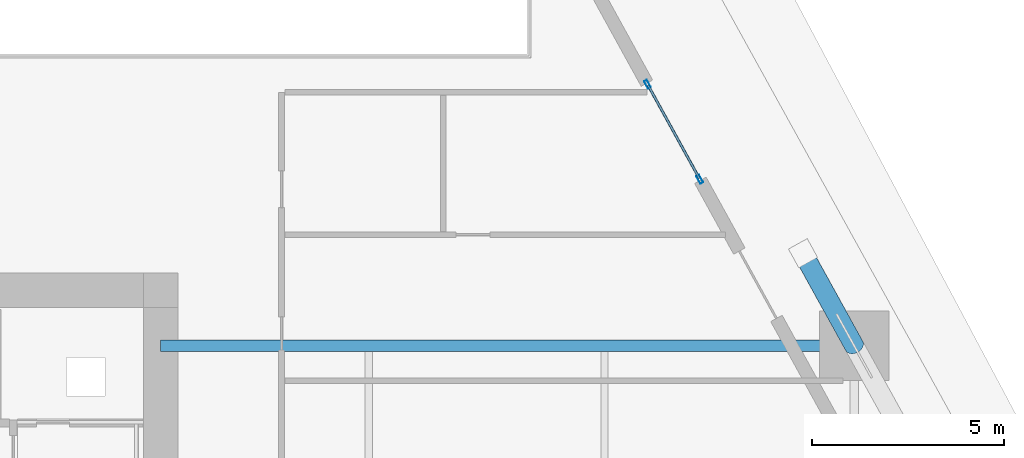
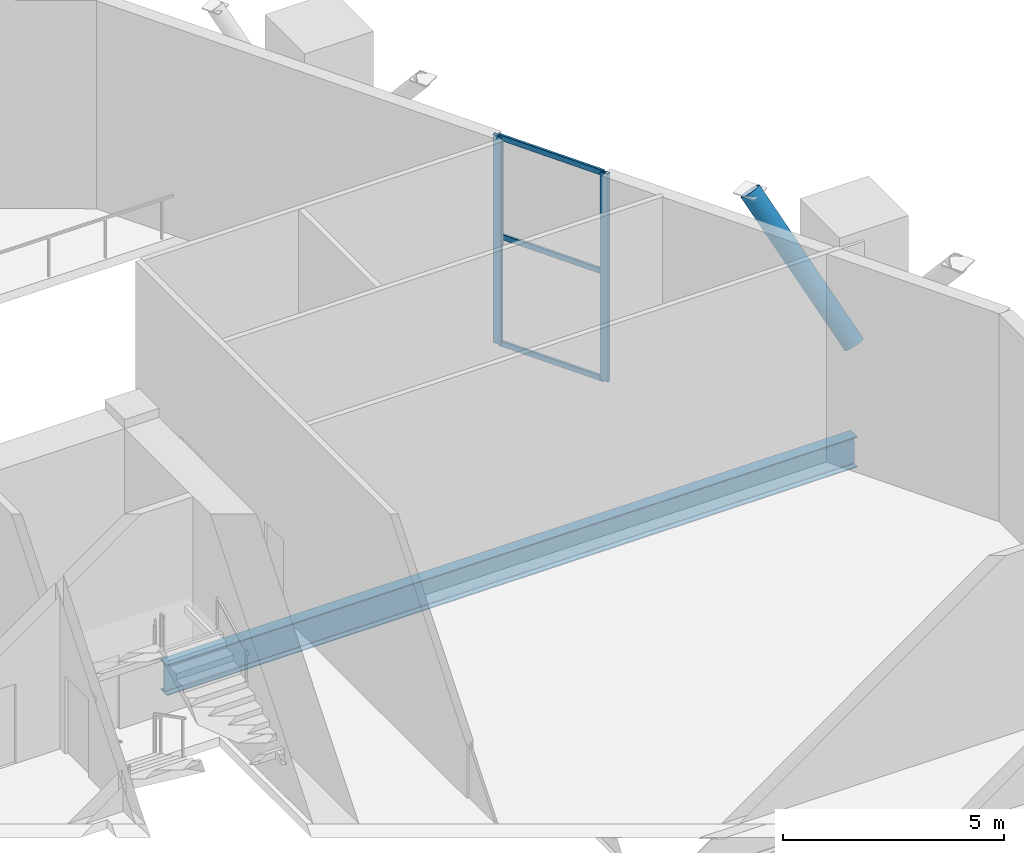
# One storey, part 13 of 22: 6 members, 1 beam, 1 element without a shape of its own.
"""IFC4 building model written with IfcOpenShell, lengths in metres."""

import ifcopenshell
import ifcopenshell.guid

model = None  # the IFC model being written
_history = None  # IfcOwnerHistory: only IFC2X3 demands one
_inside = {}  # id of a spatial element -> (the spatial element, [elements in it])
_under = {}  # id of a project, library or spatial element -> (it, [spatial elements below it])
_declared = {}  # id of a project -> (the project, [libraries it declares])
_typed = {}  # id of a type object -> (the type object, [elements of that type])
_made_of = {}  # id of a material, layer set ... -> (it, [elements and type objects made of it])


def new_model(schema):
    """Start an empty IFC model of exactly this schema.

    Asked for "IFC4X3", IfcOpenShell would pick the latest addendum, in which some entities
    have other attributes; the version numbers below select the first issue.
    IFC2X3 requires an IfcOwnerHistory on every rooted entity: one is made here for all.
    """
    global model, _history
    if schema == "IFC4X3":
        model = ifcopenshell.file(schema_version=(4, 3, 0, 0))
    else:
        model = ifcopenshell.file(schema=schema)
    _inside.clear()
    _under.clear()
    _declared.clear()
    _typed.clear()
    _made_of.clear()
    _history = None
    if model.schema == "IFC2X3":
        org = make("IfcOrganization", Name="unknown")
        user = make(
            "IfcPersonAndOrganization",
            ThePerson=make("IfcPerson", FamilyName="unknown"),
            TheOrganization=org,
        )
        app = make(
            "IfcApplication",
            ApplicationDeveloper=org,
            Version="unknown",
            ApplicationFullName="unknown",
            ApplicationIdentifier="unknown",
        )
        _history = make(
            "IfcOwnerHistory",
            OwningUser=user,
            OwningApplication=app,
            ChangeAction="ADDED",
            CreationDate=0,
        )
    return model


def make(cls, **values):
    """One entity of the class cls with the attributes given. An attribute that is None is left unset."""
    return model.create_entity(
        cls, **{name: value for name, value in values.items() if value is not None}
    )


def rooted(cls, **values):
    """An entity with a GlobalId (a new one), such as an element, a storey or a relation."""
    return make(cls, GlobalId=ifcopenshell.guid.new(), OwnerHistory=_history, **values)


def si_unit(unit_type, name, prefix=None):
    """IfcSIUnit, for example si_unit("LENGTHUNIT", "METRE", prefix="MILLI")."""
    return make("IfcSIUnit", UnitType=unit_type, Prefix=prefix, Name=name)


def assignment(units):
    """IfcUnitAssignment: the units of a project."""
    return None if units is None else make("IfcUnitAssignment", Units=units)


def point(xyz):
    """IfcCartesianPoint."""
    return None if xyz is None else make("IfcCartesianPoint", Coordinates=xyz)


def direction(xyz):
    """IfcDirection."""
    return None if xyz is None else make("IfcDirection", DirectionRatios=xyz)


def frame(location, z_axis=None, x_axis=None):
    """IfcAxis2Placement3D, a coordinate frame: its origin and axes. An axis left out is left unset."""
    return make(
        "IfcAxis2Placement3D",
        Location=point(location),
        Axis=direction(z_axis),
        RefDirection=direction(x_axis),
    )


def frame_2d(location, x_axis=None):
    """IfcAxis2Placement2D, a coordinate frame in the plane: its origin and x axis."""
    return make(
        "IfcAxis2Placement2D", Location=point(location), RefDirection=direction(x_axis)
    )


def origin():
    """The frame at (0, 0, 0) with its axes left unset."""
    return frame((0.0, 0.0, 0.0))


def origin_2d():
    """The frame at (0, 0) in the plane with its x axis left unset."""
    return frame_2d((0.0, 0.0))


def place(relative_to, where):
    """IfcLocalPlacement: puts the frame where relative to a parent placement (None: the world)."""
    return make(
        "IfcLocalPlacement", PlacementRelTo=relative_to, RelativePlacement=where
    )


def context(
    kind, dimensions, precision=None, world=None, true_north=None, identifier=None
):
    """IfcGeometricRepresentationContext, for example the 3D "Model" context."""
    return make(
        "IfcGeometricRepresentationContext",
        ContextIdentifier=identifier,
        ContextType=kind,
        CoordinateSpaceDimension=dimensions,
        Precision=precision,
        WorldCoordinateSystem=world,
        TrueNorth=true_north,
    )


def subcontext(parent, identifier, kind, view, scale=None):
    """IfcGeometricRepresentationSubContext, for example "Body" below "Model"."""
    return make(
        "IfcGeometricRepresentationSubContext",
        ContextIdentifier=identifier,
        ContextType=kind,
        ParentContext=parent,
        TargetScale=scale,
        TargetView=view,
    )


def project(units=None, contexts=None):
    """IfcProject with its units and contexts."""
    return rooted(
        "IfcProject",
        Name="project",
        RepresentationContexts=contexts,
        UnitsInContext=assignment(units),
    )


def spatial(cls, under=None, at=None, **own):
    """A site, building, storey or space (cls), placed at a placement, below another one or the project."""
    s = rooted(cls, ObjectPlacement=at, **own)
    if under is not None:
        _under.setdefault(under.id(), (under, []))[1].append(s)
    return s


def profile(cls, at=None, kind="AREA", **sizes):
    """A parametric profile (cls). Its sizes go by their IFC names, for example OverallWidth=200.0."""
    return make(cls, ProfileType=kind, Position=at, **sizes)


def hollow_rectangle(**sizes):
    """IfcRectangleHollowProfileDef."""
    return profile("IfcRectangleHollowProfileDef", **sizes)


def hollow_circle(**sizes):
    """IfcCircleHollowProfileDef."""
    return profile("IfcCircleHollowProfileDef", **sizes)


def i_section(**sizes):
    """IfcIShapeProfileDef."""
    return profile("IfcIShapeProfileDef", **sizes)


def extrude(swept, where, along, depth):
    """IfcExtrudedAreaSolid: the profile swept, set in the frame where, extruded along a direction by depth."""
    return make(
        "IfcExtrudedAreaSolid",
        SweptArea=swept,
        Position=where,
        ExtrudedDirection=direction(along),
        Depth=depth,
    )


def shape(context_of_items, identifier, shape_type, items):
    """IfcShapeRepresentation: the items that make up one representation, for example the "Body"."""
    return make(
        "IfcShapeRepresentation",
        ContextOfItems=context_of_items,
        RepresentationIdentifier=identifier,
        RepresentationType=shape_type,
        Items=items,
    )


def material(Name=None, Category=None):
    """IfcMaterial."""
    return make("IfcMaterial", Name=Name, Category=Category)


def layer(
    of_material, thickness, ventilated=None, Name=None, Category=None, Priority=None
):
    """IfcMaterialLayer: one layer of a wall or slab, of a material (None: an air gap)."""
    return make(
        "IfcMaterialLayer",
        Material=of_material,
        LayerThickness=thickness,
        IsVentilated=ventilated,
        Name=Name,
        Category=Category,
        Priority=Priority,
    )


def layer_set(layers, Name=None):
    """IfcMaterialLayerSet."""
    return make("IfcMaterialLayerSet", MaterialLayers=layers, LayerSetName=Name)


def material_profile(
    of_material, cross_section, Name=None, Category=None, Priority=None
):
    """IfcMaterialProfile: a cross section and its material."""
    return make(
        "IfcMaterialProfile",
        Name=Name,
        Material=of_material,
        Profile=cross_section,
        Priority=Priority,
        Category=Category,
    )


def profile_set(profiles, Name=None, composite=None):
    """IfcMaterialProfileSet."""
    return make(
        "IfcMaterialProfileSet",
        Name=Name,
        MaterialProfiles=profiles,
        CompositeProfile=composite,
    )


def made_of(thing, what):
    """Note that an element or type object is made of a material, layer set ...; save() writes the relation."""
    if what is not None:
        _made_of.setdefault(what.id(), (what, []))[1].append(thing)
    return thing


def type_object(cls, material=None, **own):
    """A type object (cls), such as IfcWallType, which elements share."""
    return made_of(rooted(cls, **own), material)


def element(
    cls,
    number,
    at=None,
    inside=None,
    cuts=None,
    type_object=None,
    material=None,
    context=None,
    identifier="Body",
    shape_type=None,
    held_by="IfcProductDefinitionShape",
    body=None,
    shapes=None,
    **own,
):
    """One element of the class cls, such as IfcWall. Its Tag is "e" and its number.

    at: its placement. inside: the storey or other place that contains it. cuts: it is an
    opening in that element (IfcRelVoidsElement). A single representation is given by context,
    identifier, shape_type and body (its items); several are given by shapes. held_by: the class
    of the entity that holds the representations. save() writes the other relations.
    """
    e = rooted(cls, Tag="e%d" % number, ObjectPlacement=at, **own)
    if body is not None:
        shapes = [shape(context, identifier, shape_type, body)]
    if shapes is not None:
        e.Representation = make(held_by, Representations=shapes)
    if inside is not None:
        _inside.setdefault(inside.id(), (inside, []))[1].append(e)
    if cuts is not None:
        rooted(
            "IfcRelVoidsElement", RelatingBuildingElement=cuts, RelatedOpeningElement=e
        )
    if type_object is not None:
        _typed.setdefault(type_object.id(), (type_object, []))[1].append(e)
    return made_of(e, material)


def aggregate(whole, parts):
    """IfcRelAggregates: a whole, such as a stair, and the parts it consists of."""
    return rooted("IfcRelAggregates", RelatingObject=whole, RelatedObjects=parts)


def save(model, path):
    """Write the relations noted so far, then the file.

    IfcRelAggregates (storeys below a building ...), IfcRelContainedInSpatialStructure (elements
    in a storey), IfcRelDefinesByType, IfcRelAssociatesMaterial and IfcRelDeclares: one each for
    every whole, place, type object, material and project.
    """
    for whole, parts in _under.values():
        aggregate(whole, parts)
    for where, things in _inside.values():
        rooted(
            "IfcRelContainedInSpatialStructure",
            RelatedElements=things,
            RelatingStructure=where,
        )
    for kind, things in _typed.values():
        rooted("IfcRelDefinesByType", RelatedObjects=things, RelatingType=kind)
    for what, things in _made_of.values():
        rooted("IfcRelAssociatesMaterial", RelatedObjects=things, RelatingMaterial=what)
    for by, libraries in _declared.values():
        rooted("IfcRelDeclares", RelatingContext=by, RelatedDefinitions=libraries)
    model.write(path)


model = new_model("IFC4")

# Units and contexts
model_context = context("Model", 3, precision=1e-05, world=origin(), true_north=direction((0.0, 1.0)))
body_context = subcontext(model_context, "Body", "Model", "MODEL_VIEW")
ifc_project = project(units=[si_unit("LENGTHUNIT", "METRE"), si_unit("AREAUNIT", "SQUARE_METRE"), si_unit("VOLUMEUNIT", "CUBIC_METRE"), si_unit("PLANEANGLEUNIT", "RADIAN"), si_unit("MASSUNIT", "GRAM", prefix="KILO")], contexts=[model_context])

# Site, building, storey
site_placement = place(None, origin())
site = spatial("IfcSite", under=ifc_project, at=site_placement, CompositionType="ELEMENT")
building_placement = place(site_placement, origin())
building = spatial("IfcBuilding", under=site, at=building_placement, Name="Cinnabar Lancet Tower", CompositionType="ELEMENT")
storey_placement = place(building_placement, origin())
storey = spatial("IfcBuildingStorey", under=building, at=storey_placement, Name="L00", CompositionType="ELEMENT", Elevation=0.0)

# Curtain wall, members
ifc_material_1 = material(Name="Thermally broken bronze-anodized aluminium and low-E glass", Category="aluminium")
ifc_layer = layer(ifc_material_1, 0.179931640625)
ifc_layer_set = layer_set([ifc_layer], Name="Thermally broken bronze-anodized aluminium and low-E glass")
curtain_wall_type = type_object("IfcCurtainWallType", Name="ENV-CW-SYS-01", PredefinedType="NOTDEFINED", material=ifc_layer_set)
curtain_wall_placement = place(storey_placement, origin())
curtain_wall = element("IfcCurtainWall", 1, at=curtain_wall_placement, inside=storey, type_object=curtain_wall_type, Name="L00 Face 3 Lobby Curtain Wall", PredefinedType="NOTDEFINED")
ifc_material_2 = material(Name="Anodized architectural aluminium 6063-T6", Category="aluminium")
ifc_material_profile_1 = material_profile(ifc_material_2, hollow_rectangle(XDim=0.0849609375, YDim=0.219970703125, WallThickness=0.0048828125, InnerFilletRadius=0.00244140625, OuterFilletRadius=0.007568359375, at=origin_2d()), Name="CW-MUL 220x85x5")
ifc_profile_set_1 = profile_set([ifc_material_profile_1], Name="Anodized architectural aluminium 6063-T6")
member_type_1 = type_object("IfcMemberType", Name="ENV-CW-MUL-220", PredefinedType="MULLION", material=ifc_profile_set_1)
member_1_placement = place(storey_placement, frame((54.514404296875, 38.712646484375, 0.0), z_axis=(0.0, 0.0, 1.0), x_axis=(0.875981693706, 0.482344350326, 0.0)))
member_1 = element("IfcMember", 2, at=member_1_placement, type_object=member_type_1, Name="CW-01 mullion 1", PredefinedType="MULLION", context=body_context, shape_type="SweptSolid", body=[
    extrude(hollow_rectangle(XDim=0.0849609375, YDim=0.219970703125, WallThickness=0.0048828125, InnerFilletRadius=0.00244140625, OuterFilletRadius=0.007568359375, at=origin_2d()), origin(), (0.0, 0.0, 1.0), 5.75),
])
member_2_placement = place(storey_placement, frame((55.87744140625, 36.2373046875, 0.0), z_axis=(0.0, 0.0, 1.0), x_axis=(0.875981693706, 0.482344350326, 0.0)))
member_2 = element("IfcMember", 3, at=member_2_placement, type_object=member_type_1, Name="CW-01 mullion 2", PredefinedType="MULLION", context=body_context, shape_type="SweptSolid", body=[
    extrude(hollow_rectangle(XDim=0.0849609375, YDim=0.219970703125, WallThickness=0.0048828125, InnerFilletRadius=0.00244140625, OuterFilletRadius=0.007568359375, at=origin_2d()), origin(), (0.0, 0.0, 1.0), 5.75),
])
ifc_material_3 = material(Name="Anodized architectural aluminium 6063-T6", Category="aluminium")
ifc_material_profile_2 = material_profile(ifc_material_3, hollow_rectangle(XDim=0.06494140625, YDim=0.14990234375, WallThickness=0.00390625, InnerFilletRadius=0.001953125, OuterFilletRadius=0.006103515625, at=origin_2d()), Name="CW-TRN 150x65x4")
ifc_profile_set_2 = profile_set([ifc_material_profile_2], Name="Anodized architectural aluminium 6063-T6")
member_type_2 = type_object("IfcMemberType", Name="ENV-CW-TRN-160", PredefinedType="USERDEFINED", material=ifc_profile_set_2)
member_3_placement = place(storey_placement, frame((54.529052734375, 38.6865234375, 0.030029296875), z_axis=(0.482311769048, -0.875999633241, 0.0), x_axis=(0.875999633241, 0.482311769048, 0.0)))
member_3 = element("IfcMember", 4, at=member_3_placement, type_object=member_type_2, Name="CW-01 transom 1.1", ObjectType="TRANSOM", PredefinedType="USERDEFINED", context=body_context, shape_type="SweptSolid", body=[
    extrude(hollow_rectangle(XDim=0.06494140625, YDim=0.14990234375, WallThickness=0.00390625, InnerFilletRadius=0.001953125, OuterFilletRadius=0.006103515625, at=origin_2d()), origin(), (0.0, 0.0, 1.0), 2.765869140625),
])
member_4_placement = place(storey_placement, frame((54.529052734375, 38.6865234375, 2.989990234375), z_axis=(0.482311769048, -0.875999633241, 0.0), x_axis=(0.875999633241, 0.482311769048, 0.0)))
member_4 = element("IfcMember", 5, at=member_4_placement, type_object=member_type_2, Name="CW-01 transom 1.2", ObjectType="TRANSOM", PredefinedType="USERDEFINED", context=body_context, shape_type="SweptSolid", body=[
    extrude(hollow_rectangle(XDim=0.06494140625, YDim=0.14990234375, WallThickness=0.00390625, InnerFilletRadius=0.001953125, OuterFilletRadius=0.006103515625, at=origin_2d()), origin(), (0.0, 0.0, 1.0), 2.765869140625),
])
member_5_placement = place(storey_placement, frame((54.529052734375, 38.6865234375, 5.719970703125), z_axis=(0.482311769048, -0.875999633241, 0.0), x_axis=(0.875999633241, 0.482311769048, 0.0)))
member_5 = element("IfcMember", 6, at=member_5_placement, type_object=member_type_2, Name="CW-01 transom 1.3", ObjectType="TRANSOM", PredefinedType="USERDEFINED", context=body_context, shape_type="SweptSolid", body=[
    extrude(hollow_rectangle(XDim=0.06494140625, YDim=0.14990234375, WallThickness=0.00390625, InnerFilletRadius=0.001953125, OuterFilletRadius=0.006103515625, at=origin_2d()), origin(), (0.0, 0.0, 1.0), 2.765869140625),
])
aggregate(curtain_wall, [member_1, member_2, member_3, member_4, member_5])

# Beam
ifc_material_4 = material(Name="Structural steel S355", Category="steel")
ifc_material_profile_3 = material_profile(ifc_material_4, i_section(OverallWidth=0.293701171875, OverallDepth=0.850830078125, WebThickness=0.01611328125, FlangeThickness=0.02685546875, FilletRadius=0.017822265625, at=origin_2d()), Name="UKB 838x292x226")
ifc_profile_set_3 = profile_set([ifc_material_profile_3], Name="Structural steel S355")
beam_type = type_object("IfcBeamType", Name="STR-BM-UKB838-226", PredefinedType="BEAM", material=ifc_profile_set_3)
beam_placement = place(storey_placement, frame((59.89111328125, 31.907958984375, -0.675048828125), z_axis=(-1.0, 0.0, 0.0), x_axis=(0.0, -1.0, 0.0)))
element("IfcBeam", 7, at=beam_placement, inside=storey, type_object=beam_type, Name="L00 Primary Floor Girder 5", PredefinedType="BEAM", context=body_context, shape_type="SweptSolid", body=[
    extrude(i_section(OverallWidth=0.293701171875, OverallDepth=0.850830078125, WebThickness=0.01611328125, FlangeThickness=0.02685546875, FilletRadius=0.017822265625, at=origin_2d()), origin(), (0.0, 0.0, 1.0), 18.041015625),
])

# Member
ifc_material_5 = material(Name="Structural steel S460", Category="steel")
ifc_material_profile_4 = material_profile(ifc_material_5, hollow_circle(Radius=0.25390625, WallThickness=0.02490234375, at=origin_2d()), Name="CHS 508x25")
ifc_profile_set_4 = profile_set([ifc_material_profile_4], Name="Structural steel S460")
member_type_3 = type_object("IfcMemberType", Name="STR-MEM-YPIL-508", PredefinedType="STRUT", material=ifc_profile_set_4)
member_6_placement = place(storey_placement, frame((59.89111328125, 31.907958984375, 2.199951171875), z_axis=(-0.312418023343, 0.5653688128, 0.763382659093), x_axis=(-0.875256370508, -0.483659266308, 0.0)))
element("IfcMember", 8, at=member_6_placement, inside=storey, type_object=member_type_3, Name="Y-Pilotis Inclined Branch Strut 5B", PredefinedType="STRUT", context=body_context, shape_type="SweptSolid", body=[
    extrude(hollow_circle(Radius=0.25390625, WallThickness=0.02490234375, at=origin_2d()), origin(), (0.0, 0.0, 1.0), 4.25732421875),
])

save(model, "model.ifc")
